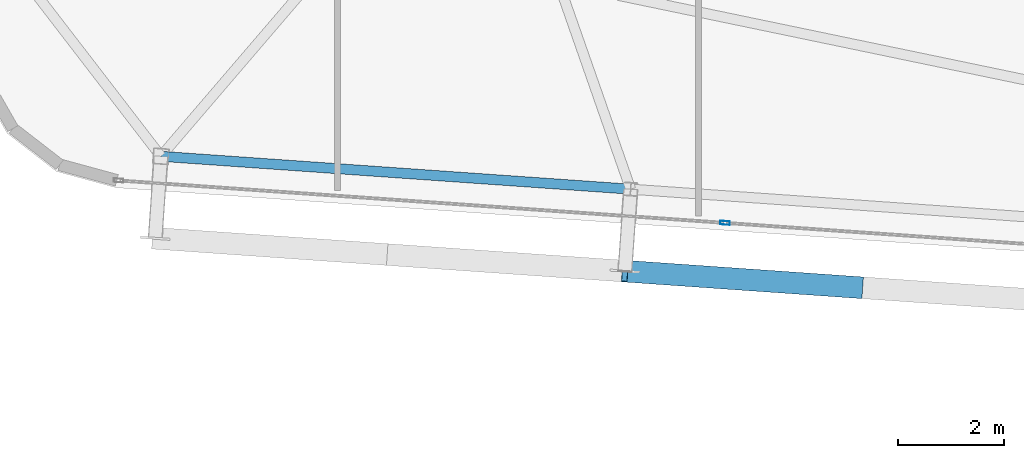
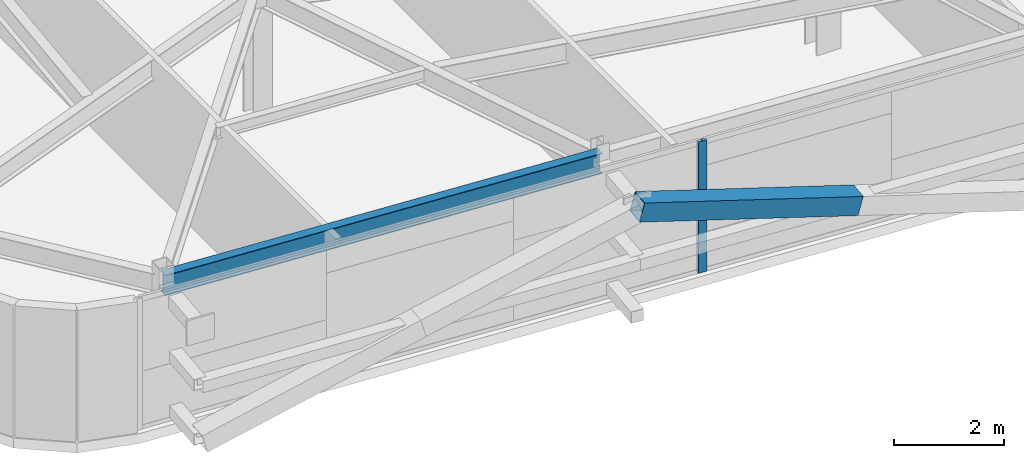
# One storey, part 7 of 39: 2 members, 1 beam, 1 element without a shape of its own.
"""IFC4 building model written with IfcOpenShell, lengths in metres."""

import ifcopenshell
import ifcopenshell.guid

model = None  # the IFC model being written
_history = None  # IfcOwnerHistory: only IFC2X3 demands one
_inside = {}  # id of a spatial element -> (the spatial element, [elements in it])
_under = {}  # id of a project, library or spatial element -> (it, [spatial elements below it])
_declared = {}  # id of a project -> (the project, [libraries it declares])
_typed = {}  # id of a type object -> (the type object, [elements of that type])
_made_of = {}  # id of a material, layer set ... -> (it, [elements and type objects made of it])


def new_model(schema):
    """Start an empty IFC model of exactly this schema.

    Asked for "IFC4X3", IfcOpenShell would pick the latest addendum, in which some entities
    have other attributes; the version numbers below select the first issue.
    IFC2X3 requires an IfcOwnerHistory on every rooted entity: one is made here for all.
    """
    global model, _history
    if schema == "IFC4X3":
        model = ifcopenshell.file(schema_version=(4, 3, 0, 0))
    else:
        model = ifcopenshell.file(schema=schema)
    _inside.clear()
    _under.clear()
    _declared.clear()
    _typed.clear()
    _made_of.clear()
    _history = None
    if model.schema == "IFC2X3":
        org = make("IfcOrganization", Name="unknown")
        user = make(
            "IfcPersonAndOrganization",
            ThePerson=make("IfcPerson", FamilyName="unknown"),
            TheOrganization=org,
        )
        app = make(
            "IfcApplication",
            ApplicationDeveloper=org,
            Version="unknown",
            ApplicationFullName="unknown",
            ApplicationIdentifier="unknown",
        )
        _history = make(
            "IfcOwnerHistory",
            OwningUser=user,
            OwningApplication=app,
            ChangeAction="ADDED",
            CreationDate=0,
        )
    return model


def make(cls, **values):
    """One entity of the class cls with the attributes given. An attribute that is None is left unset."""
    return model.create_entity(
        cls, **{name: value for name, value in values.items() if value is not None}
    )


def rooted(cls, **values):
    """An entity with a GlobalId (a new one), such as an element, a storey or a relation."""
    return make(cls, GlobalId=ifcopenshell.guid.new(), OwnerHistory=_history, **values)


def si_unit(unit_type, name, prefix=None):
    """IfcSIUnit, for example si_unit("LENGTHUNIT", "METRE", prefix="MILLI")."""
    return make("IfcSIUnit", UnitType=unit_type, Prefix=prefix, Name=name)


def assignment(units):
    """IfcUnitAssignment: the units of a project."""
    return None if units is None else make("IfcUnitAssignment", Units=units)


def point(xyz):
    """IfcCartesianPoint."""
    return None if xyz is None else make("IfcCartesianPoint", Coordinates=xyz)


def direction(xyz):
    """IfcDirection."""
    return None if xyz is None else make("IfcDirection", DirectionRatios=xyz)


def frame(location, z_axis=None, x_axis=None):
    """IfcAxis2Placement3D, a coordinate frame: its origin and axes. An axis left out is left unset."""
    return make(
        "IfcAxis2Placement3D",
        Location=point(location),
        Axis=direction(z_axis),
        RefDirection=direction(x_axis),
    )


def frame_2d(location, x_axis=None):
    """IfcAxis2Placement2D, a coordinate frame in the plane: its origin and x axis."""
    return make(
        "IfcAxis2Placement2D", Location=point(location), RefDirection=direction(x_axis)
    )


def origin():
    """The frame at (0, 0, 0) with its axes left unset."""
    return frame((0.0, 0.0, 0.0))


def origin_2d():
    """The frame at (0, 0) in the plane with its x axis left unset."""
    return frame_2d((0.0, 0.0))


def place(relative_to, where):
    """IfcLocalPlacement: puts the frame where relative to a parent placement (None: the world)."""
    return make(
        "IfcLocalPlacement", PlacementRelTo=relative_to, RelativePlacement=where
    )


def context(
    kind, dimensions, precision=None, world=None, true_north=None, identifier=None
):
    """IfcGeometricRepresentationContext, for example the 3D "Model" context."""
    return make(
        "IfcGeometricRepresentationContext",
        ContextIdentifier=identifier,
        ContextType=kind,
        CoordinateSpaceDimension=dimensions,
        Precision=precision,
        WorldCoordinateSystem=world,
        TrueNorth=true_north,
    )


def subcontext(parent, identifier, kind, view, scale=None):
    """IfcGeometricRepresentationSubContext, for example "Body" below "Model"."""
    return make(
        "IfcGeometricRepresentationSubContext",
        ContextIdentifier=identifier,
        ContextType=kind,
        ParentContext=parent,
        TargetScale=scale,
        TargetView=view,
    )


def project(units=None, contexts=None):
    """IfcProject with its units and contexts."""
    return rooted(
        "IfcProject",
        Name="project",
        RepresentationContexts=contexts,
        UnitsInContext=assignment(units),
    )


def spatial(cls, under=None, at=None, **own):
    """A site, building, storey or space (cls), placed at a placement, below another one or the project."""
    s = rooted(cls, ObjectPlacement=at, **own)
    if under is not None:
        _under.setdefault(under.id(), (under, []))[1].append(s)
    return s


def profile(cls, at=None, kind="AREA", **sizes):
    """A parametric profile (cls). Its sizes go by their IFC names, for example OverallWidth=200.0."""
    return make(cls, ProfileType=kind, Position=at, **sizes)


def hollow_rectangle(**sizes):
    """IfcRectangleHollowProfileDef."""
    return profile("IfcRectangleHollowProfileDef", **sizes)


def i_section(**sizes):
    """IfcIShapeProfileDef."""
    return profile("IfcIShapeProfileDef", **sizes)


def extrude(swept, where, along, depth):
    """IfcExtrudedAreaSolid: the profile swept, set in the frame where, extruded along a direction by depth."""
    return make(
        "IfcExtrudedAreaSolid",
        SweptArea=swept,
        Position=where,
        ExtrudedDirection=direction(along),
        Depth=depth,
    )


def shape(context_of_items, identifier, shape_type, items):
    """IfcShapeRepresentation: the items that make up one representation, for example the "Body"."""
    return make(
        "IfcShapeRepresentation",
        ContextOfItems=context_of_items,
        RepresentationIdentifier=identifier,
        RepresentationType=shape_type,
        Items=items,
    )


def source(mapping_origin, context_of_items, identifier, shape_type, items):
    """IfcRepresentationMap: a shape defined once, which mapped items show again and again."""
    return make(
        "IfcRepresentationMap",
        MappingOrigin=mapping_origin,
        MappedRepresentation=shape(context_of_items, identifier, shape_type, items),
    )


def transform(
    local_origin,
    x_axis=None,
    y_axis=None,
    z_axis=None,
    scale=None,
    scale2=None,
    scale3=None,
    uniform=True,
):
    """IfcCartesianTransformationOperator3D, or its non-uniform kind. x_axis, y_axis, z_axis: its Axis1, 2, 3."""
    if uniform:
        return make(
            "IfcCartesianTransformationOperator3D",
            Axis1=direction(x_axis),
            Axis2=direction(y_axis),
            LocalOrigin=point(local_origin),
            Scale=scale,
            Axis3=direction(z_axis),
        )
    return make(
        "IfcCartesianTransformationOperator3DnonUniform",
        Axis1=direction(x_axis),
        Axis2=direction(y_axis),
        LocalOrigin=point(local_origin),
        Scale=scale,
        Axis3=direction(z_axis),
        Scale2=scale2,
        Scale3=scale3,
    )


def mapped(mapping_source, mapping_target):
    """IfcMappedItem: shows the shape of a source again, moved by a transform."""
    return make(
        "IfcMappedItem", MappingSource=mapping_source, MappingTarget=mapping_target
    )


def material(Name=None, Category=None):
    """IfcMaterial."""
    return make("IfcMaterial", Name=Name, Category=Category)


def layer(
    of_material, thickness, ventilated=None, Name=None, Category=None, Priority=None
):
    """IfcMaterialLayer: one layer of a wall or slab, of a material (None: an air gap)."""
    return make(
        "IfcMaterialLayer",
        Material=of_material,
        LayerThickness=thickness,
        IsVentilated=ventilated,
        Name=Name,
        Category=Category,
        Priority=Priority,
    )


def layer_set(layers, Name=None):
    """IfcMaterialLayerSet."""
    return make("IfcMaterialLayerSet", MaterialLayers=layers, LayerSetName=Name)


def material_profile(
    of_material, cross_section, Name=None, Category=None, Priority=None
):
    """IfcMaterialProfile: a cross section and its material."""
    return make(
        "IfcMaterialProfile",
        Name=Name,
        Material=of_material,
        Profile=cross_section,
        Priority=Priority,
        Category=Category,
    )


def profile_set(profiles, Name=None, composite=None):
    """IfcMaterialProfileSet."""
    return make(
        "IfcMaterialProfileSet",
        Name=Name,
        MaterialProfiles=profiles,
        CompositeProfile=composite,
    )


def made_of(thing, what):
    """Note that an element or type object is made of a material, layer set ...; save() writes the relation."""
    if what is not None:
        _made_of.setdefault(what.id(), (what, []))[1].append(thing)
    return thing


def type_object(cls, material=None, **own):
    """A type object (cls), such as IfcWallType, which elements share."""
    return made_of(rooted(cls, **own), material)


def element(
    cls,
    number,
    at=None,
    inside=None,
    cuts=None,
    type_object=None,
    material=None,
    context=None,
    identifier="Body",
    shape_type=None,
    held_by="IfcProductDefinitionShape",
    body=None,
    shapes=None,
    **own,
):
    """One element of the class cls, such as IfcWall. Its Tag is "e" and its number.

    at: its placement. inside: the storey or other place that contains it. cuts: it is an
    opening in that element (IfcRelVoidsElement). A single representation is given by context,
    identifier, shape_type and body (its items); several are given by shapes. held_by: the class
    of the entity that holds the representations. save() writes the other relations.
    """
    e = rooted(cls, Tag="e%d" % number, ObjectPlacement=at, **own)
    if body is not None:
        shapes = [shape(context, identifier, shape_type, body)]
    if shapes is not None:
        e.Representation = make(held_by, Representations=shapes)
    if inside is not None:
        _inside.setdefault(inside.id(), (inside, []))[1].append(e)
    if cuts is not None:
        rooted(
            "IfcRelVoidsElement", RelatingBuildingElement=cuts, RelatedOpeningElement=e
        )
    if type_object is not None:
        _typed.setdefault(type_object.id(), (type_object, []))[1].append(e)
    return made_of(e, material)


def aggregate(whole, parts):
    """IfcRelAggregates: a whole, such as a stair, and the parts it consists of."""
    return rooted("IfcRelAggregates", RelatingObject=whole, RelatedObjects=parts)


def save(model, path):
    """Write the relations noted so far, then the file.

    IfcRelAggregates (storeys below a building ...), IfcRelContainedInSpatialStructure (elements
    in a storey), IfcRelDefinesByType, IfcRelAssociatesMaterial and IfcRelDeclares: one each for
    every whole, place, type object, material and project.
    """
    for whole, parts in _under.values():
        aggregate(whole, parts)
    for where, things in _inside.values():
        rooted(
            "IfcRelContainedInSpatialStructure",
            RelatedElements=things,
            RelatingStructure=where,
        )
    for kind, things in _typed.values():
        rooted("IfcRelDefinesByType", RelatedObjects=things, RelatingType=kind)
    for what, things in _made_of.values():
        rooted("IfcRelAssociatesMaterial", RelatedObjects=things, RelatingMaterial=what)
    for by, libraries in _declared.values():
        rooted("IfcRelDeclares", RelatingContext=by, RelatedDefinitions=libraries)
    model.write(path)


model = new_model("IFC4")

# Units and contexts
model_context = context("Model", 3, precision=1e-05, world=origin(), true_north=direction((0.0, 1.0)))
body_context = subcontext(model_context, "Body", "Model", "MODEL_VIEW")
ifc_project = project(units=[si_unit("LENGTHUNIT", "METRE"), si_unit("AREAUNIT", "SQUARE_METRE"), si_unit("VOLUMEUNIT", "CUBIC_METRE"), si_unit("PLANEANGLEUNIT", "RADIAN"), si_unit("MASSUNIT", "GRAM", prefix="KILO")], contexts=[model_context])

# Site, building, storey
site_placement = place(None, origin())
site = spatial("IfcSite", under=ifc_project, at=site_placement, CompositionType="ELEMENT")
building_placement = place(site_placement, origin())
building = spatial("IfcBuilding", under=site, at=building_placement, Name="Taldren Reach Tower", CompositionType="ELEMENT")
storey_placement = place(building_placement, frame((0.0, 0.0, 133.0)))
storey = spatial("IfcBuildingStorey", under=building, at=storey_placement, Name="L40", CompositionType="ELEMENT", Elevation=133.0)

# Beam
ifc_material_1 = material(Name="Steel Gr 350 (350PLUS)", Category="steel")
ifc_material_profile_1 = material_profile(ifc_material_1, i_section(OverallWidth=0.18994140625, OverallDepth=0.4541015625, WebThickness=0.008544921875, FlangeThickness=0.0126953125, at=origin_2d()), Name="460UB67.1")
ifc_profile_set_1 = profile_set([ifc_material_profile_1], Name="Steel Gr 350 (350PLUS)")
beam_type = type_object("IfcBeamType", Name="SP-UB460B", PredefinedType="SPANDREL", material=ifc_profile_set_1)
shared_shape_1 = source(origin(), body_context, "Body", "SweptSolid", [
    extrude(i_section(OverallWidth=0.18994140625, OverallDepth=0.4541015625, WebThickness=0.008544921875, FlangeThickness=0.0126953125, at=origin_2d()), origin(), (0.0, 0.0, 1.0), 8.880126953125),
])
beam_placement = place(storey_placement, frame((11.863525390625, 5.33837890625, 2.702880859375), z_axis=(0.997564479639, -0.069750333063, 0.0), x_axis=(0.069750333063, 0.997564479639, 0.0)))
element("IfcBeam", 1, at=beam_placement, inside=storey, type_object=beam_type, Name="Perimeter spandrel B3 S1-S2 L40", PredefinedType="SPANDREL", context=body_context, shape_type="MappedRepresentation", body=[
    mapped(shared_shape_1, transform((0.0, 0.0, 0.0), scale=1.0)),
])

# Member
ifc_material_2 = material(Name="Steel Gr 450 (C450L0)", Category="steel")
ifc_material_profile_2 = material_profile(ifc_material_2, hollow_rectangle(XDim=0.409912109375, YDim=0.409912109375, WallThickness=0.01611328125, at=origin_2d()), Name="410x410x16.0SHS")
ifc_profile_set_2 = profile_set([ifc_material_profile_2], Name="Steel Gr 450 (C450L0)")
member_type_1 = type_object("IfcMemberType", Name="MB-EXO406", PredefinedType="BRACE", material=ifc_profile_set_2)
shared_shape_2 = source(origin(), body_context, "Body", "SweptSolid", [
    extrude(hollow_rectangle(XDim=0.409912109375, YDim=0.409912109375, WallThickness=0.01611328125, at=origin_2d()), origin(), (0.0, 0.0, 1.0), 4.603271484375),
])
member_1_placement = place(storey_placement, frame((25.04296875, 2.863037109375, 1.43505859375), z_axis=(-0.962195820062, 0.067303852699, 0.263911718699), x_axis=(-0.06977769246, -0.997562566276, 0.0)))
element("IfcMember", 2, at=member_1_placement, inside=storey, type_object=member_type_1, Name="Exoskeleton Diagrid Brace B3-S2 L40", PredefinedType="BRACE", context=body_context, shape_type="MappedRepresentation", body=[
    mapped(shared_shape_2, transform((0.0, 0.0, 0.0), scale=1.0)),
])

# Curtain wall, member
ifc_material_3 = material(Name="Aluminium and Low-E Glass Unitised System", Category="aluminium")
ifc_layer = layer(ifc_material_3, 0.159912109375)
ifc_layer_set = layer_set([ifc_layer], Name="Aluminium and Low-E Glass Unitised System")
curtain_wall_type = type_object("IfcCurtainWallType", Name="CW-SYS-4", PredefinedType="NOTDEFINED", material=ifc_layer_set)
curtain_wall_placement = place(storey_placement, origin())
curtain_wall = element("IfcCurtainWall", 3, at=curtain_wall_placement, inside=storey, type_object=curtain_wall_type, Name="Unitised curtain wall CW-L40-S", PredefinedType="NOTDEFINED")
ifc_material_4 = material(Name="Anodised Aluminium 6063-T6", Category="aluminium")
ifc_material_profile_3 = material_profile(ifc_material_4, hollow_rectangle(XDim=0.070068359375, YDim=0.179931640625, WallThickness=0.00390625, at=origin_2d()), Name="ALU-180x70x4RHS")
ifc_profile_set_3 = profile_set([ifc_material_profile_3], Name="Anodised Aluminium 6063-T6")
member_type_2 = type_object("IfcMemberType", Name="CW-MUL-180", PredefinedType="MULLION", material=ifc_profile_set_3)
shared_shape_3 = source(origin(), body_context, "Body", "SweptSolid", [
    extrude(hollow_rectangle(XDim=0.070068359375, YDim=0.179931640625, WallThickness=0.00390625, at=origin_2d()), origin(), (0.0, 0.0, 1.0), 2.929931640625),
])
member_2_placement = place(storey_placement, frame((22.501953125, 4.083251953125, 0.0), z_axis=(0.0, 0.0, 1.0), x_axis=(0.06975651593, 0.99756404731, 0.0)))
member_2 = element("IfcMember", 4, at=member_2_placement, type_object=member_type_2, Name="CW-4 mullion 2", PredefinedType="MULLION", context=body_context, shape_type="MappedRepresentation", body=[
    mapped(shared_shape_3, transform((0.0, 0.0, 0.0), scale=1.0)),
])
aggregate(curtain_wall, [member_2])

save(model, "model.ifc")
